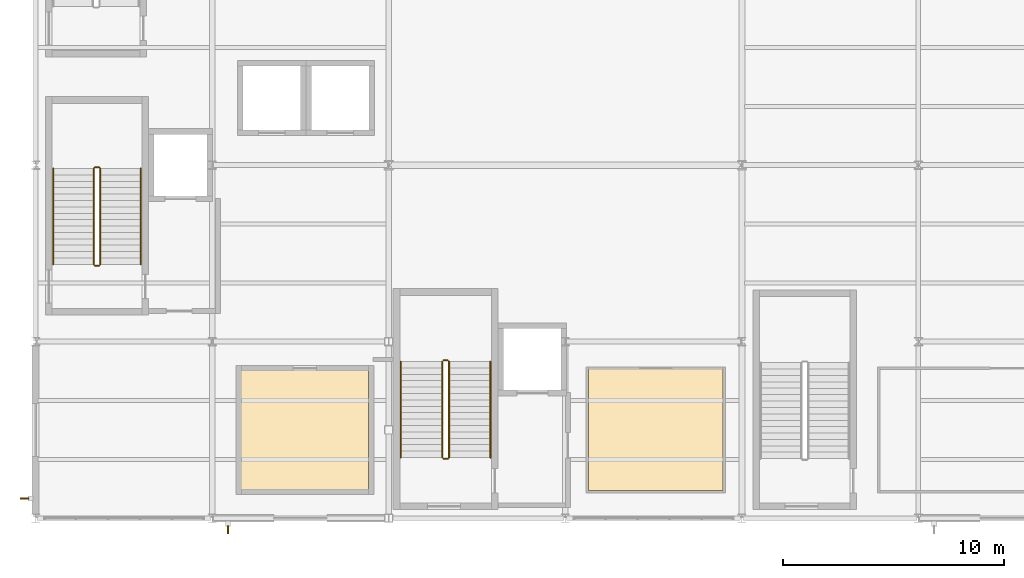
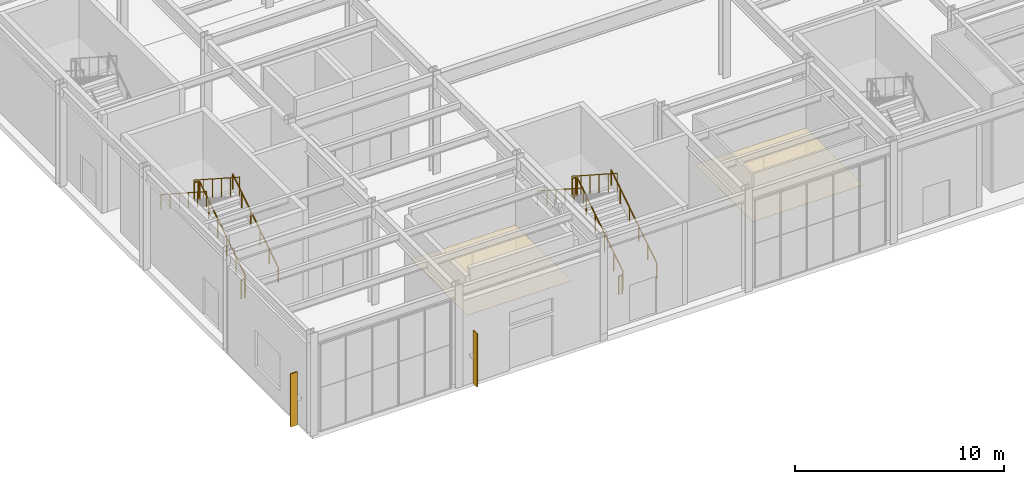
# One storey, part 70 of 82: 12 railings, 2 coverings, 2 shading devices.
"""IFC4 building model written with IfcOpenShell, lengths in metres."""

from ifc_helpers import new_model, si_unit, direction, frame, origin, origin_2d, place, context, subcontext, project, spatial, polyline, rectangle, circle, outline, extrude, material, layer, layer_set, type_object, element, save


model = new_model("IFC4")

# Units and contexts
model_context = context("Model", 3, precision=1e-05, world=origin(), true_north=direction((0.0, 1.0)))
body_context = subcontext(model_context, "Body", "Model", "MODEL_VIEW")
ifc_project = project(units=[si_unit("LENGTHUNIT", "METRE"), si_unit("AREAUNIT", "SQUARE_METRE"), si_unit("VOLUMEUNIT", "CUBIC_METRE"), si_unit("PLANEANGLEUNIT", "RADIAN"), si_unit("MASSUNIT", "GRAM", prefix="KILO")], contexts=[model_context])

# Site, building, storey
site_placement = place(None, origin())
site = spatial("IfcSite", under=ifc_project, at=site_placement, CompositionType="ELEMENT")
building_placement = place(site_placement, origin())
building = spatial("IfcBuilding", under=site, at=building_placement, Name="Drelvath Fold Interchange", CompositionType="ELEMENT")
storey_placement = place(building_placement, origin())
storey = spatial("IfcBuildingStorey", under=building, at=storey_placement, Name="L00", CompositionType="ELEMENT", Elevation=0.0)

# Coverings
ifc_material_1 = material(Name="Perforated Aluminium Acoustic Ceiling", Category="aluminium")
ifc_layer_1 = layer(ifc_material_1, 0.01806640625, Name="Perforated Aluminium Acoustic Ceiling")
ifc_layer_set_1 = layer_set([ifc_layer_1], Name="Perforated Aluminium Acoustic Ceiling")
covering_type_1 = type_object("IfcCoveringType", Name="CV-CEIL-AL18", PredefinedType="CEILING", material=ifc_layer_set_1)
covering_1_placement = place(storey_placement, frame((0.0, 0.0, 2.830078125)))
element("IfcCovering", 1, at=covering_1_placement, inside=storey, type_object=covering_type_1, Name="Passenger Information and Mobility Desk acoustic ceiling", PredefinedType="CEILING", context=body_context, shape_type="SweptSolid", body=[
    extrude(outline(polyline([(29.047119140625, 4.248046875), (35.153076171875, 4.248046875), (35.153076171875, 9.7529296875), (29.047119140625, 9.7529296875), (29.047119140625, 4.248046875)])), origin(), (0.0, 0.0, 1.0), 0.02001953125),
])
ifc_layer_2 = layer(ifc_material_1, 0.02392578125, Name="Perforated Aluminium Acoustic Ceiling")
ifc_layer_set_2 = layer_set([ifc_layer_2], Name="Perforated Aluminium Acoustic Ceiling")
covering_type_2 = type_object("IfcCoveringType", Name="CV-CEIL-AL24", PredefinedType="CEILING", material=ifc_layer_set_2)
covering_2_placement = place(storey_placement, frame((0.0, 0.0, 2.830078125)))
element("IfcCovering", 2, at=covering_2_placement, inside=storey, type_object=covering_type_2, Name="Fire Command Center acoustic ceiling", PredefinedType="CEILING", context=body_context, shape_type="SweptSolid", body=[
    extrude(outline(polyline([(13.31201171875, 4.31201171875), (19.087890625, 4.31201171875), (19.087890625, 9.68798828125), (13.31201171875, 9.68798828125), (13.31201171875, 4.31201171875)])), origin(), (0.0, 0.0, 1.0), 0.02001953125),
])

# Railings
ifc_material_2 = material(Name="Stainless Steel 316L", Category="steel")
railing_type_1 = type_object("IfcRailingType", Name="RL-GRD1100", PredefinedType="GUARDRAIL", material=ifc_material_2)
railing_1_placement = place(storey_placement, frame((6.929931640625, 14.5, 0.1875)))
element("IfcRailing", 3, at=railing_1_placement, inside=storey, type_object=railing_type_1, Name="L00 ST-01 stair guard 1", PredefinedType="GUARDRAIL", context=body_context, shape_type="SweptSolid", body=[
    extrude(circle(Radius=0.02392578125, at=origin_2d()), frame((0.0, 0.0, 1.076171875), z_axis=(0.0, 0.839769887392, 0.54294247967), x_axis=(-1.0, 0.0, 0.0)), (0.0, 0.0, 1.0), 5.18017578125),
    extrude(circle(Radius=0.02099609375, at=origin_2d()), origin(), (0.0, 0.0, 1.0), 1.052001953125),
    extrude(circle(Radius=0.02099609375, at=origin_2d()), frame((0.0, 0.8701171875, 0.5625)), (0.0, 0.0, 1.0), 1.052001953125),
    extrude(circle(Radius=0.02099609375, at=origin_2d()), frame((0.0, 1.739990234375, 1.125)), (0.0, 0.0, 1.0), 1.052001953125),
    extrude(circle(Radius=0.02099609375, at=origin_2d()), frame((0.0, 2.610107421875, 1.6875)), (0.0, 0.0, 1.0), 1.052001953125),
    extrude(circle(Radius=0.02099609375, at=origin_2d()), frame((0.0, 3.47998046875, 2.25)), (0.0, 0.0, 1.0), 1.052001953125),
    extrude(circle(Radius=0.02099609375, at=origin_2d()), frame((0.0, 4.35009765625, 2.8125)), (0.0, 0.0, 1.0), 1.052001953125),
])
railing_2_placement = place(storey_placement, frame((6.8798828125, 18.89990234375, 3.0)))
element("IfcRailing", 4, at=railing_2_placement, inside=storey, type_object=railing_type_1, Name="L00 ST-01 stair guard 2", PredefinedType="GUARDRAIL", context=body_context, shape_type="SweptSolid", body=[
    extrude(circle(Radius=0.02392578125, at=origin_2d()), frame((0.0, 0.0, 1.076171875), z_axis=(-1.0, 0.0, 0.0), x_axis=(0.0, -1.0, 0.0)), (0.0, 0.0, 1.0), 0.199951171875),
    extrude(circle(Radius=0.02099609375, at=origin_2d()), origin(), (0.0, 0.0, 1.0), 1.052001953125),
    extrude(circle(Radius=0.02099609375, at=origin_2d()), frame((-0.199951171875, 0.0, 0.0)), (0.0, 0.0, 1.0), 1.052001953125),
])
railing_3_placement = place(storey_placement, frame((6.6298828125, 18.85009765625, 3.1875)))
element("IfcRailing", 5, at=railing_3_placement, inside=storey, type_object=railing_type_1, Name="L00 ST-01 stair guard 3", PredefinedType="GUARDRAIL", context=body_context, shape_type="SweptSolid", body=[
    extrude(circle(Radius=0.02392578125, at=origin_2d()), frame((0.0, 0.0, 1.076171875), z_axis=(0.0, -0.839769887392, 0.54294247967), x_axis=(1.0, 0.0, 0.0)), (0.0, 0.0, 1.0), 5.18017578125),
    extrude(circle(Radius=0.02099609375, at=origin_2d()), origin(), (0.0, 0.0, 1.0), 1.052001953125),
    extrude(circle(Radius=0.02099609375, at=origin_2d()), frame((0.0, -0.8701171875, 0.5625)), (0.0, 0.0, 1.0), 1.052001953125),
    extrude(circle(Radius=0.02099609375, at=origin_2d()), frame((0.0, -1.739990234375, 1.125)), (0.0, 0.0, 1.0), 1.052001953125),
    extrude(circle(Radius=0.02099609375, at=origin_2d()), frame((0.0, -2.610107421875, 1.6875)), (0.0, 0.0, 1.0), 1.052001953125),
    extrude(circle(Radius=0.02099609375, at=origin_2d()), frame((0.0, -3.47998046875, 2.25)), (0.0, 0.0, 1.0), 1.052001953125),
    extrude(circle(Radius=0.02099609375, at=origin_2d()), frame((0.0, -4.35009765625, 2.8125)), (0.0, 0.0, 1.0), 1.052001953125),
])
railing_4_placement = place(storey_placement, frame((6.8798828125, 14.449951171875, 0.0)))
element("IfcRailing", 6, at=railing_4_placement, inside=storey, type_object=railing_type_1, Name="L00 ST-01 stair guard 4", PredefinedType="GUARDRAIL", context=body_context, shape_type="SweptSolid", body=[
    extrude(circle(Radius=0.02392578125, at=origin_2d()), frame((0.0, 0.0, 1.076171875), z_axis=(-1.0, 0.0, 0.0), x_axis=(0.0, -1.0, 0.0)), (0.0, 0.0, 1.0), 0.199951171875),
    extrude(circle(Radius=0.02099609375, at=origin_2d()), origin(), (0.0, 0.0, 1.0), 1.052001953125),
    extrude(circle(Radius=0.02099609375, at=origin_2d()), frame((-0.199951171875, 0.0, 0.0)), (0.0, 0.0, 1.0), 1.052001953125),
])
railing_5_placement = place(storey_placement, frame((22.72998046875, 5.75, 0.1875)))
element("IfcRailing", 7, at=railing_5_placement, inside=storey, type_object=railing_type_1, Name="L00 ST-03 stair guard 1", PredefinedType="GUARDRAIL", context=body_context, shape_type="SweptSolid", body=[
    extrude(circle(Radius=0.02392578125, at=origin_2d()), frame((0.0, 0.0, 1.076171875), z_axis=(0.0, 0.839769887392, 0.54294247967), x_axis=(-1.0, 0.0, 0.0)), (0.0, 0.0, 1.0), 5.18017578125),
    extrude(circle(Radius=0.02099609375, at=origin_2d()), origin(), (0.0, 0.0, 1.0), 1.052001953125),
    extrude(circle(Radius=0.02099609375, at=origin_2d()), frame((0.0, 0.8701171875, 0.5625)), (0.0, 0.0, 1.0), 1.052001953125),
    extrude(circle(Radius=0.02099609375, at=origin_2d()), frame((0.0, 1.739990234375, 1.125)), (0.0, 0.0, 1.0), 1.052001953125),
    extrude(circle(Radius=0.02099609375, at=origin_2d()), frame((0.0, 2.610107421875, 1.6875)), (0.0, 0.0, 1.0), 1.052001953125),
    extrude(circle(Radius=0.02099609375, at=origin_2d()), frame((0.0, 3.47998046875, 2.25)), (0.0, 0.0, 1.0), 1.052001953125),
    extrude(circle(Radius=0.02099609375, at=origin_2d()), frame((0.0, 4.35009765625, 2.8125)), (0.0, 0.0, 1.0), 1.052001953125),
])
railing_6_placement = place(storey_placement, frame((22.679931640625, 10.14990234375, 3.0)))
element("IfcRailing", 8, at=railing_6_placement, inside=storey, type_object=railing_type_1, Name="L00 ST-03 stair guard 2", PredefinedType="GUARDRAIL", context=body_context, shape_type="SweptSolid", body=[
    extrude(circle(Radius=0.02392578125, at=origin_2d()), frame((0.0, 0.0, 1.076171875), z_axis=(-1.0, 0.0, 0.0), x_axis=(0.0, -1.0, 0.0)), (0.0, 0.0, 1.0), 0.199951171875),
    extrude(circle(Radius=0.02099609375, at=origin_2d()), origin(), (0.0, 0.0, 1.0), 1.052001953125),
    extrude(circle(Radius=0.02099609375, at=origin_2d()), frame((-0.199951171875, 0.0, 0.0)), (0.0, 0.0, 1.0), 1.052001953125),
])
railing_7_placement = place(storey_placement, frame((22.429931640625, 10.10009765625, 3.1875)))
element("IfcRailing", 9, at=railing_7_placement, inside=storey, type_object=railing_type_1, Name="L00 ST-03 stair guard 3", PredefinedType="GUARDRAIL", context=body_context, shape_type="SweptSolid", body=[
    extrude(circle(Radius=0.02392578125, at=origin_2d()), frame((0.0, 0.0, 1.076171875), z_axis=(0.0, -0.839769887392, 0.54294247967), x_axis=(1.0, 0.0, 0.0)), (0.0, 0.0, 1.0), 5.18017578125),
    extrude(circle(Radius=0.02099609375, at=origin_2d()), origin(), (0.0, 0.0, 1.0), 1.052001953125),
    extrude(circle(Radius=0.02099609375, at=origin_2d()), frame((0.0, -0.8701171875, 0.5625)), (0.0, 0.0, 1.0), 1.052001953125),
    extrude(circle(Radius=0.02099609375, at=origin_2d()), frame((0.0, -1.739990234375, 1.125)), (0.0, 0.0, 1.0), 1.052001953125),
    extrude(circle(Radius=0.02099609375, at=origin_2d()), frame((0.0, -2.610107421875, 1.6875)), (0.0, 0.0, 1.0), 1.052001953125),
    extrude(circle(Radius=0.02099609375, at=origin_2d()), frame((0.0, -3.47998046875, 2.25)), (0.0, 0.0, 1.0), 1.052001953125),
    extrude(circle(Radius=0.02099609375, at=origin_2d()), frame((0.0, -4.35009765625, 2.8125)), (0.0, 0.0, 1.0), 1.052001953125),
])
railing_8_placement = place(storey_placement, frame((22.679931640625, 5.699951171875, 0.0)))
element("IfcRailing", 10, at=railing_8_placement, inside=storey, type_object=railing_type_1, Name="L00 ST-03 stair guard 4", PredefinedType="GUARDRAIL", context=body_context, shape_type="SweptSolid", body=[
    extrude(circle(Radius=0.02392578125, at=origin_2d()), frame((0.0, 0.0, 1.076171875), z_axis=(-1.0, 0.0, 0.0), x_axis=(0.0, -1.0, 0.0)), (0.0, 0.0, 1.0), 0.199951171875),
    extrude(circle(Radius=0.02099609375, at=origin_2d()), origin(), (0.0, 0.0, 1.0), 1.052001953125),
    extrude(circle(Radius=0.02099609375, at=origin_2d()), frame((-0.199951171875, 0.0, 0.0)), (0.0, 0.0, 1.0), 1.052001953125),
])
railing_type_2 = type_object("IfcRailingType", Name="RL-HND920", PredefinedType="HANDRAIL", material=ifc_material_2)
railing_9_placement = place(storey_placement, frame((8.760009765625, 14.5, 0.1875)))
element("IfcRailing", 11, at=railing_9_placement, inside=storey, type_object=railing_type_2, Name="L00 ST-01 stair handrail 1", PredefinedType="HANDRAIL", context=body_context, shape_type="SweptSolid", body=[
    extrude(circle(Radius=0.02392578125, at=origin_2d()), frame((0.0, 0.0, 0.8759765625), z_axis=(0.0, 0.839769887392, 0.54294247967), x_axis=(-1.0, 0.0, 0.0)), (0.0, 0.0, 1.0), 5.18017578125),
    extrude(circle(Radius=0.02099609375, at=origin_2d()), origin(), (0.0, 0.0, 1.0), 0.851806640625),
    extrude(circle(Radius=0.02099609375, at=origin_2d()), frame((0.0, 0.8701171875, 0.5625)), (0.0, 0.0, 1.0), 0.851806640625),
    extrude(circle(Radius=0.02099609375, at=origin_2d()), frame((0.0, 1.739990234375, 1.125)), (0.0, 0.0, 1.0), 0.851806640625),
    extrude(circle(Radius=0.02099609375, at=origin_2d()), frame((0.0, 2.610107421875, 1.6875)), (0.0, 0.0, 1.0), 0.851806640625),
    extrude(circle(Radius=0.02099609375, at=origin_2d()), frame((0.0, 3.47998046875, 2.25)), (0.0, 0.0, 1.0), 0.851806640625),
    extrude(circle(Radius=0.02099609375, at=origin_2d()), frame((0.0, 4.35009765625, 2.8125)), (0.0, 0.0, 1.0), 0.851806640625),
])
railing_10_placement = place(storey_placement, frame((4.800048828125, 18.85009765625, 3.1875)))
element("IfcRailing", 12, at=railing_10_placement, inside=storey, type_object=railing_type_2, Name="L00 ST-01 stair handrail 2", PredefinedType="HANDRAIL", context=body_context, shape_type="SweptSolid", body=[
    extrude(circle(Radius=0.02392578125, at=origin_2d()), frame((0.0, 0.0, 0.8759765625), z_axis=(0.0, -0.839769887392, 0.54294247967), x_axis=(1.0, 0.0, 0.0)), (0.0, 0.0, 1.0), 5.18017578125),
    extrude(circle(Radius=0.02099609375, at=origin_2d()), origin(), (0.0, 0.0, 1.0), 0.851806640625),
    extrude(circle(Radius=0.02099609375, at=origin_2d()), frame((0.0, -0.8701171875, 0.5625)), (0.0, 0.0, 1.0), 0.851806640625),
    extrude(circle(Radius=0.02099609375, at=origin_2d()), frame((0.0, -1.739990234375, 1.125)), (0.0, 0.0, 1.0), 0.851806640625),
    extrude(circle(Radius=0.02099609375, at=origin_2d()), frame((0.0, -2.610107421875, 1.6875)), (0.0, 0.0, 1.0), 0.851806640625),
    extrude(circle(Radius=0.02099609375, at=origin_2d()), frame((0.0, -3.47998046875, 2.25)), (0.0, 0.0, 1.0), 0.851806640625),
    extrude(circle(Radius=0.02099609375, at=origin_2d()), frame((0.0, -4.35009765625, 2.8125)), (0.0, 0.0, 1.0), 0.851806640625),
])
railing_11_placement = place(storey_placement, frame((24.610107421875, 5.75, 0.1875)))
element("IfcRailing", 13, at=railing_11_placement, inside=storey, type_object=railing_type_2, Name="L00 ST-03 stair handrail 1", PredefinedType="HANDRAIL", context=body_context, shape_type="SweptSolid", body=[
    extrude(circle(Radius=0.02392578125, at=origin_2d()), frame((0.0, 0.0, 0.8759765625), z_axis=(0.0, 0.839769887392, 0.54294247967), x_axis=(-1.0, 0.0, 0.0)), (0.0, 0.0, 1.0), 5.18017578125),
    extrude(circle(Radius=0.02099609375, at=origin_2d()), origin(), (0.0, 0.0, 1.0), 0.851806640625),
    extrude(circle(Radius=0.02099609375, at=origin_2d()), frame((0.0, 0.8701171875, 0.5625)), (0.0, 0.0, 1.0), 0.851806640625),
    extrude(circle(Radius=0.02099609375, at=origin_2d()), frame((0.0, 1.739990234375, 1.125)), (0.0, 0.0, 1.0), 0.851806640625),
    extrude(circle(Radius=0.02099609375, at=origin_2d()), frame((0.0, 2.610107421875, 1.6875)), (0.0, 0.0, 1.0), 0.851806640625),
    extrude(circle(Radius=0.02099609375, at=origin_2d()), frame((0.0, 3.47998046875, 2.25)), (0.0, 0.0, 1.0), 0.851806640625),
    extrude(circle(Radius=0.02099609375, at=origin_2d()), frame((0.0, 4.35009765625, 2.8125)), (0.0, 0.0, 1.0), 0.851806640625),
])
railing_12_placement = place(storey_placement, frame((20.550048828125, 10.10009765625, 3.1875)))
element("IfcRailing", 14, at=railing_12_placement, inside=storey, type_object=railing_type_2, Name="L00 ST-03 stair handrail 2", PredefinedType="HANDRAIL", context=body_context, shape_type="SweptSolid", body=[
    extrude(circle(Radius=0.02392578125, at=origin_2d()), frame((0.0, 0.0, 0.8759765625), z_axis=(0.0, -0.839769887392, 0.54294247967), x_axis=(1.0, 0.0, 0.0)), (0.0, 0.0, 1.0), 5.18017578125),
    extrude(circle(Radius=0.02099609375, at=origin_2d()), origin(), (0.0, 0.0, 1.0), 0.851806640625),
    extrude(circle(Radius=0.02099609375, at=origin_2d()), frame((0.0, -0.8701171875, 0.5625)), (0.0, 0.0, 1.0), 0.851806640625),
    extrude(circle(Radius=0.02099609375, at=origin_2d()), frame((0.0, -1.739990234375, 1.125)), (0.0, 0.0, 1.0), 0.851806640625),
    extrude(circle(Radius=0.02099609375, at=origin_2d()), frame((0.0, -2.610107421875, 1.6875)), (0.0, 0.0, 1.0), 0.851806640625),
    extrude(circle(Radius=0.02099609375, at=origin_2d()), frame((0.0, -3.47998046875, 2.25)), (0.0, 0.0, 1.0), 0.851806640625),
    extrude(circle(Radius=0.02099609375, at=origin_2d()), frame((0.0, -4.35009765625, 2.8125)), (0.0, 0.0, 1.0), 0.851806640625),
])

# Shading devices
ifc_material_3 = material(Name="Anodized Aluminium 6063-T6", Category="aluminium")
shading_device_type = type_object("IfcShadingDeviceType", Name="SD-FIN380", PredefinedType="JALOUSIE", material=ifc_material_3)
for number, where, z_axis, x_axis, name in (
    (15, (3.492919921875, 3.89208984375, 0.099853515625), (0.0, 0.0, 1.0), (1.0, 0.0, 0.0), "Vertical aluminium solar fin 15"),
    (16, (12.712890625, 2.47998046875, 0.099853515625), (0.0, 0.0, 1.0), (0.0, 1.0, 0.0), "Vertical aluminium solar fin 19"),
):
    element("IfcShadingDevice", number, at=place(storey_placement, frame(where, z_axis=z_axis, x_axis=x_axis)), inside=storey, type_object=shading_device_type, Name=name, PredefinedType="JALOUSIE", context=body_context, shape_type="SweptSolid", body=[
        extrude(rectangle(XDim=0.3798828125, YDim=0.06494140625, at=origin_2d()), origin(), (0.0, 0.0, 1.0), 3.10009765625),
    ])

save(model, "model.ifc")
